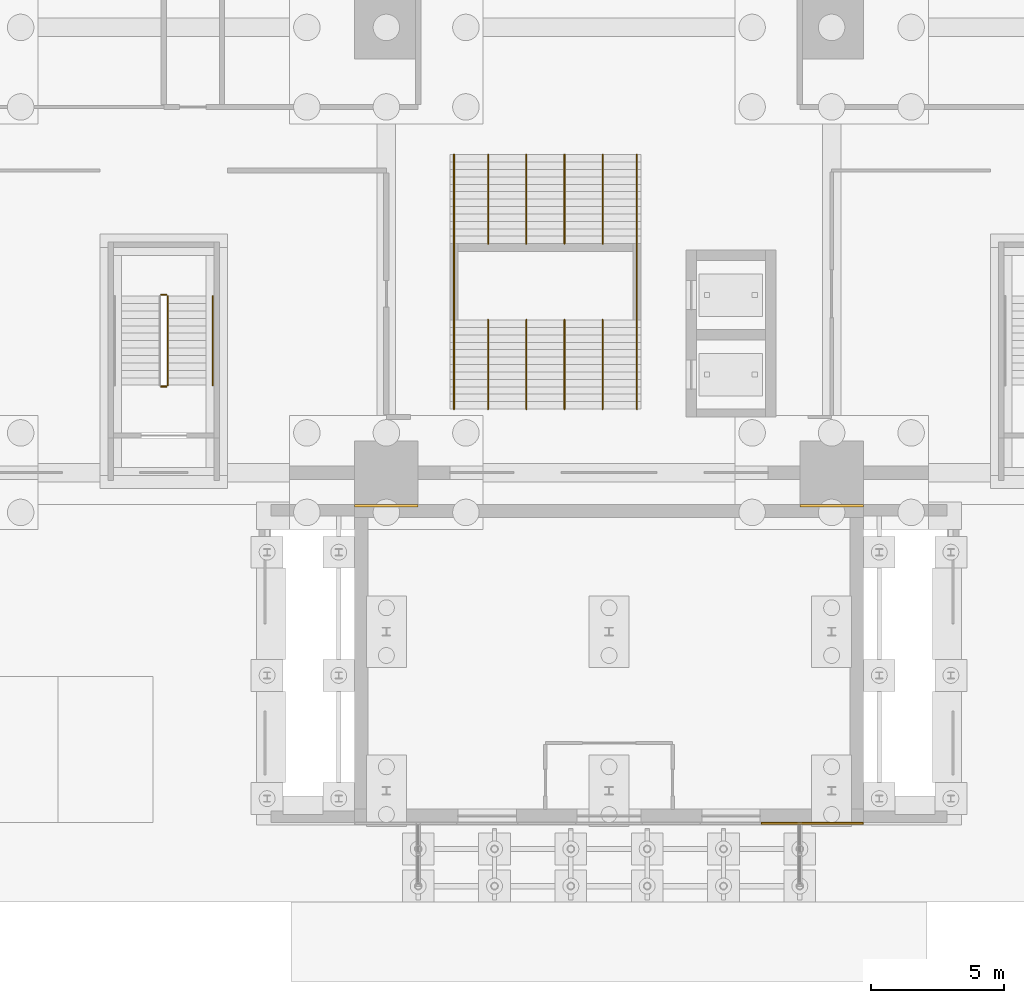
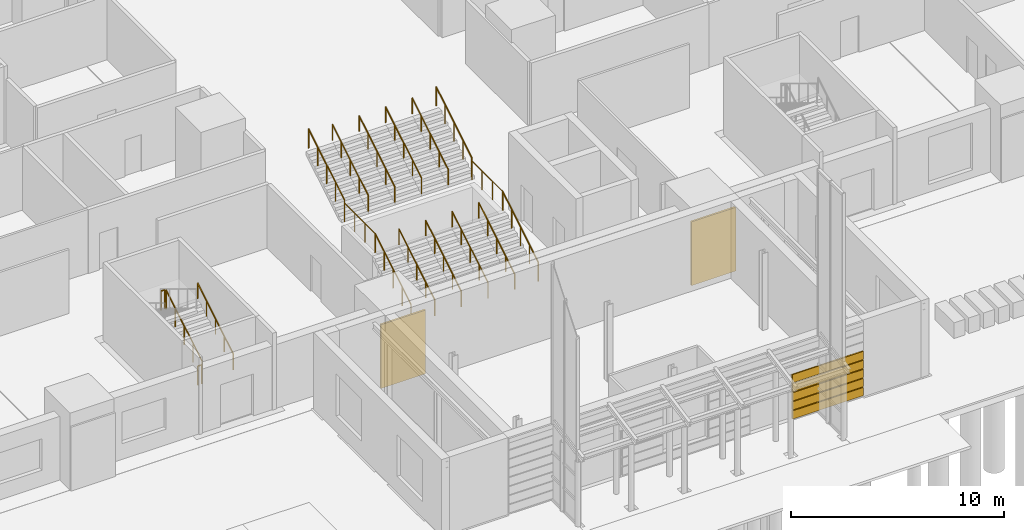
# One storey, part 117 of 139: 18 railings, 7 coverings.
"""IFC4 building model written with IfcOpenShell, lengths in metres."""

from ifc_helpers import new_model, si_unit, direction, frame, origin, origin_2d, place, context, subcontext, project, spatial, rectangle, circle, extrude, material, layer, layer_set, type_object, element, save


model = new_model("IFC4")

# Units and contexts
model_context = context("Model", 3, precision=1e-05, world=origin(), true_north=direction((0.0, 1.0)))
body_context = subcontext(model_context, "Body", "Model", "MODEL_VIEW")
ifc_project = project(units=[si_unit("LENGTHUNIT", "METRE"), si_unit("AREAUNIT", "SQUARE_METRE"), si_unit("VOLUMEUNIT", "CUBIC_METRE"), si_unit("PLANEANGLEUNIT", "RADIAN"), si_unit("MASSUNIT", "GRAM", prefix="KILO")], contexts=[model_context])

# Site, building, storey
site_placement = place(None, origin())
site = spatial("IfcSite", under=ifc_project, at=site_placement, CompositionType="ELEMENT")
building_placement = place(site_placement, origin())
building = spatial("IfcBuilding", under=site, at=building_placement, Name="Verrick Yard Athletic Hall", CompositionType="ELEMENT")
storey_placement = place(building_placement, origin())
storey = spatial("IfcBuildingStorey", under=building, at=storey_placement, Name="L00", CompositionType="ELEMENT", Elevation=0.0)

# Coverings
ifc_material_1 = material(Name="Rusticated limestone cladding", Category="masonry")
ifc_layer_1 = layer(ifc_material_1, 0.10009765625)
ifc_layer_set_1 = layer_set([ifc_layer_1], Name="Pier base cladding")
covering_type_1 = type_object("IfcCoveringType", Name="Pier base cladding", PredefinedType="CLADDING", material=ifc_layer_set_1)
for number, where, z_axis, x_axis, name in (
    (1, (90.39990234375, 17.949951171875, 0.0), (0.0, 0.0, 1.0), (1.0, 0.0, 0.0), "Pier base S4"),
    (2, (107.199951171875, 17.949951171875, 0.0), (0.0, 0.0, 1.0), (1.0, 0.0, 0.0), "Pier base S5"),
):
    element("IfcCovering", number, at=place(storey_placement, frame(where, z_axis=z_axis, x_axis=x_axis)), inside=storey, type_object=covering_type_1, Name=name, PredefinedType="CLADDING", context=body_context, shape_type="SweptSolid", body=[
        extrude(rectangle(XDim=2.39990234375, YDim=0.10009765625, at=origin_2d()), origin(), (0.0, 0.0, 1.0), 3.64990234375),
    ])

# Railings
ifc_material_2 = material(Name="Stainless steel", Category="steel")
railing_type_1 = type_object("IfcRailingType", Name="Stair and core guard 1100", PredefinedType="GUARDRAIL", material=ifc_material_2)
railing_1_placement = place(storey_placement, frame((82.14990234375, 22.5, 0.169189453125)))
element("IfcRailing", 3, at=railing_1_placement, inside=storey, type_object=railing_type_1, Name="L00 South plinth exit 2 stair guard 1", PredefinedType="GUARDRAIL", context=body_context, shape_type="SweptSolid", body=[
    extrude(circle(Radius=0.02392578125, at=origin_2d()), frame((0.0, 0.0, 1.076171875), z_axis=(0.0, 0.855836976705, 0.517245656632), x_axis=(-1.0, 0.0, 0.0)), (0.0, 0.0, 1.0), 3.926025390625),
    extrude(circle(Radius=0.02099609375, at=origin_2d()), origin(), (0.0, 0.0, 1.0), 1.052001953125),
    extrude(circle(Radius=0.02099609375, at=origin_2d()), frame((0.0, 0.840087890625, 0.5078125)), (0.0, 0.0, 1.0), 1.052001953125),
    extrude(circle(Radius=0.02099609375, at=origin_2d()), frame((0.0, 1.68017578125, 1.015380859375)), (0.0, 0.0, 1.0), 1.052001953125),
    extrude(circle(Radius=0.02099609375, at=origin_2d()), frame((0.0, 2.52001953125, 1.52294921875)), (0.0, 0.0, 1.0), 1.052001953125),
    extrude(circle(Radius=0.02099609375, at=origin_2d()), frame((0.0, 3.360107421875, 2.03076171875)), (0.0, 0.0, 1.0), 1.052001953125),
])
for number, where, name in (
    (4, (82.10009765625, 25.909912109375, 2.199951171875), "L00 South plinth exit 2 stair guard 2"),
    (5, (82.10009765625, 22.449951171875, 0.0), "L00 South plinth exit 2 stair guard 4"),
):
    element("IfcRailing", number, at=place(storey_placement, frame(where)), inside=storey, type_object=railing_type_1, Name=name, PredefinedType="GUARDRAIL", context=body_context, shape_type="SweptSolid", body=[
        extrude(circle(Radius=0.02392578125, at=origin_2d()), frame((0.0, 0.0, 1.076171875), z_axis=(-1.0, 0.0, 0.0), x_axis=(0.0, -1.0, 0.0)), (0.0, 0.0, 1.0), 0.2001953125),
        extrude(circle(Radius=0.02099609375, at=origin_2d()), origin(), (0.0, 0.0, 1.0), 1.052001953125),
        extrude(circle(Radius=0.02099609375, at=origin_2d()), frame((-0.2001953125, 0.0, 0.0)), (0.0, 0.0, 1.0), 1.052001953125),
    ])
for number, where, name in (
    (6, (92.949951171875, 21.60009765625, 0.169189453125), "Foyer stair side guard"),
    (7, (92.949951171875, 27.840087890625, 2.369140625), "Foyer stair side guard"),
    (8, (99.85009765625, 21.60009765625, 0.169189453125), "Foyer stair side guard"),
    (9, (99.85009765625, 27.840087890625, 2.369140625), "Foyer stair side guard"),
):
    element("IfcRailing", number, at=place(storey_placement, frame(where)), inside=storey, type_object=railing_type_1, Name=name, PredefinedType="GUARDRAIL", context=body_context, shape_type="SweptSolid", body=[
        extrude(circle(Radius=0.02392578125, at=origin_2d()), frame((0.0, 0.0, 1.076171875), z_axis=(0.0, 0.855820338506, 0.51727318527), x_axis=(-1.0, 0.0, 0.0)), (0.0, 0.0, 1.0), 3.92578125),
        extrude(circle(Radius=0.02099609375, at=origin_2d()), origin(), (0.0, 0.0, 1.0), 1.052001953125),
        extrude(circle(Radius=0.02099609375, at=origin_2d()), frame((0.0, 0.83984375, 0.5078125)), (0.0, 0.0, 1.0), 1.052001953125),
        extrude(circle(Radius=0.02099609375, at=origin_2d()), frame((0.0, 1.679931640625, 1.015380859375)), (0.0, 0.0, 1.0), 1.052001953125),
        extrude(circle(Radius=0.02099609375, at=origin_2d()), frame((0.0, 2.52001953125, 1.52294921875)), (0.0, 0.0, 1.0), 1.052001953125),
        extrude(circle(Radius=0.02099609375, at=origin_2d()), frame((0.0, 3.35986328125, 2.03076171875)), (0.0, 0.0, 1.0), 1.052001953125),
    ])
for number, where, name in (
    (10, (92.949951171875, 24.9599609375, 2.199951171875), "Foyer stair landing guard"),
    (11, (99.85009765625, 24.9599609375, 2.199951171875), "Foyer stair landing guard"),
):
    element("IfcRailing", number, at=place(storey_placement, frame(where)), inside=storey, type_object=railing_type_1, Name=name, PredefinedType="GUARDRAIL", context=body_context, shape_type="SweptSolid", body=[
        extrude(circle(Radius=0.02392578125, at=origin_2d()), frame((0.0, 0.0, 1.076171875), z_axis=(0.0, 1.0, 0.0), x_axis=(-1.0, 0.0, 0.0)), (0.0, 0.0, 1.0), 2.880126953125),
        extrude(circle(Radius=0.02099609375, at=origin_2d()), origin(), (0.0, 0.0, 1.0), 1.052001953125),
        extrude(circle(Radius=0.02099609375, at=origin_2d()), frame((0.0, 0.9599609375, 0.0)), (0.0, 0.0, 1.0), 1.052001953125),
        extrude(circle(Radius=0.02099609375, at=origin_2d()), frame((0.0, 1.920166015625, 0.0)), (0.0, 0.0, 1.0), 1.052001953125),
        extrude(circle(Radius=0.02099609375, at=origin_2d()), frame((0.0, 2.880126953125, 0.0)), (0.0, 0.0, 1.0), 1.052001953125),
    ])
railing_type_2 = type_object("IfcRailingType", Name="Stair handrail 900", PredefinedType="HANDRAIL", material=ifc_material_2)
railing_2_placement = place(storey_placement, frame((83.85009765625, 22.5, 0.169189453125)))
element("IfcRailing", 12, at=railing_2_placement, inside=storey, type_object=railing_type_2, Name="L00 South plinth exit 2 stair handrail 1", PredefinedType="HANDRAIL", context=body_context, shape_type="SweptSolid", body=[
    extrude(circle(Radius=0.02392578125, at=origin_2d()), frame((0.0, 0.0, 0.8759765625), z_axis=(0.0, 0.855836976705, 0.517245656632), x_axis=(-1.0, 0.0, 0.0)), (0.0, 0.0, 1.0), 3.926025390625),
    extrude(circle(Radius=0.02099609375, at=origin_2d()), origin(), (0.0, 0.0, 1.0), 0.851806640625),
    extrude(circle(Radius=0.02099609375, at=origin_2d()), frame((0.0, 0.840087890625, 0.5078125)), (0.0, 0.0, 1.0), 0.851806640625),
    extrude(circle(Radius=0.02099609375, at=origin_2d()), frame((0.0, 1.68017578125, 1.015380859375)), (0.0, 0.0, 1.0), 0.851806640625),
    extrude(circle(Radius=0.02099609375, at=origin_2d()), frame((0.0, 2.52001953125, 1.52294921875)), (0.0, 0.0, 1.0), 0.851806640625),
    extrude(circle(Radius=0.02099609375, at=origin_2d()), frame((0.0, 3.360107421875, 2.03076171875)), (0.0, 0.0, 1.0), 0.851806640625),
])
for number, where, name in (
    (13, (94.239990234375, 21.60009765625, 0.169189453125), "Foyer stair handrail"),
    (14, (94.239990234375, 27.840087890625, 2.369140625), "Foyer stair handrail"),
    (15, (95.679931640625, 21.60009765625, 0.169189453125), "Foyer stair handrail"),
    (16, (95.679931640625, 27.840087890625, 2.369140625), "Foyer stair handrail"),
    (17, (97.1201171875, 21.60009765625, 0.169189453125), "Foyer stair handrail"),
    (18, (97.1201171875, 27.840087890625, 2.369140625), "Foyer stair handrail"),
    (19, (98.56005859375, 21.60009765625, 0.169189453125), "Foyer stair handrail"),
    (20, (98.56005859375, 27.840087890625, 2.369140625), "Foyer stair handrail"),
):
    element("IfcRailing", number, at=place(storey_placement, frame(where)), inside=storey, type_object=railing_type_2, Name=name, PredefinedType="HANDRAIL", context=body_context, shape_type="SweptSolid", body=[
        extrude(circle(Radius=0.02392578125, at=origin_2d()), frame((0.0, 0.0, 0.8759765625), z_axis=(0.0, 0.855820338506, 0.51727318527), x_axis=(-1.0, 0.0, 0.0)), (0.0, 0.0, 1.0), 3.92578125),
        extrude(circle(Radius=0.02099609375, at=origin_2d()), origin(), (0.0, 0.0, 1.0), 0.851806640625),
        extrude(circle(Radius=0.02099609375, at=origin_2d()), frame((0.0, 0.83984375, 0.5078125)), (0.0, 0.0, 1.0), 0.851806640625),
        extrude(circle(Radius=0.02099609375, at=origin_2d()), frame((0.0, 1.679931640625, 1.015380859375)), (0.0, 0.0, 1.0), 0.851806640625),
        extrude(circle(Radius=0.02099609375, at=origin_2d()), frame((0.0, 2.52001953125, 1.52294921875)), (0.0, 0.0, 1.0), 0.851806640625),
        extrude(circle(Radius=0.02099609375, at=origin_2d()), frame((0.0, 3.35986328125, 2.03076171875)), (0.0, 0.0, 1.0), 0.851806640625),
    ])

# Coverings
ifc_material_3 = material(Name="Tyndall-stone-look precast cladding", Category="masonry")
ifc_layer_2 = layer(ifc_material_3, 0.125)
ifc_layer_set_2 = layer_set([ifc_layer_2], Name="Stone cladding")
covering_type_2 = type_object("IfcCoveringType", Name="Stone cladding", PredefinedType="CLADDING", material=ifc_layer_set_2)
for number, where, z_axis, x_axis, name in (
    (21, (106.47509765625, 5.96240234375, 0.125), (0.0, 0.0, 1.0), (1.0, 0.0, 0.0), "Foyer rustication"),
    (22, (106.47509765625, 5.96240234375, 0.643798828125), (0.0, 0.0, 1.0), (1.0, 0.0, 0.0), "Foyer rustication"),
    (23, (106.47509765625, 5.96240234375, 1.16259765625), (0.0, 0.0, 1.0), (1.0, 0.0, 0.0), "Foyer rustication"),
    (24, (106.47509765625, 5.96240234375, 1.68115234375), (0.0, 0.0, 1.0), (1.0, 0.0, 0.0), "Foyer rustication"),
    (25, (106.47509765625, 5.96240234375, 2.199951171875), (0.0, 0.0, 1.0), (1.0, 0.0, 0.0), "Foyer rustication"),
):
    element("IfcCovering", number, at=place(storey_placement, frame(where, z_axis=z_axis, x_axis=x_axis)), inside=storey, type_object=covering_type_2, Name=name, PredefinedType="CLADDING", context=body_context, shape_type="SweptSolid", body=[
        extrude(rectangle(XDim=3.85009765625, YDim=0.074951171875, at=origin_2d()), origin(), (0.0, 0.0, 1.0), 0.46875),
    ])

save(model, "model.ifc")
